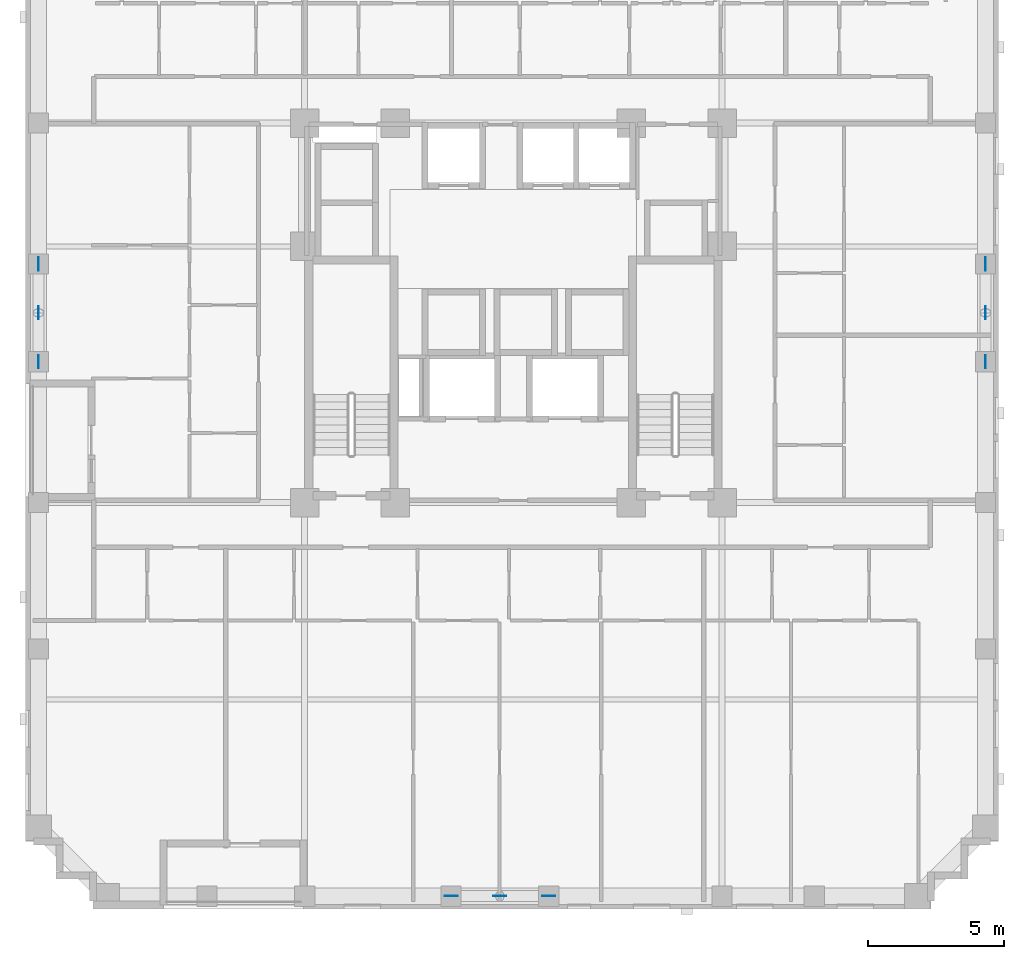
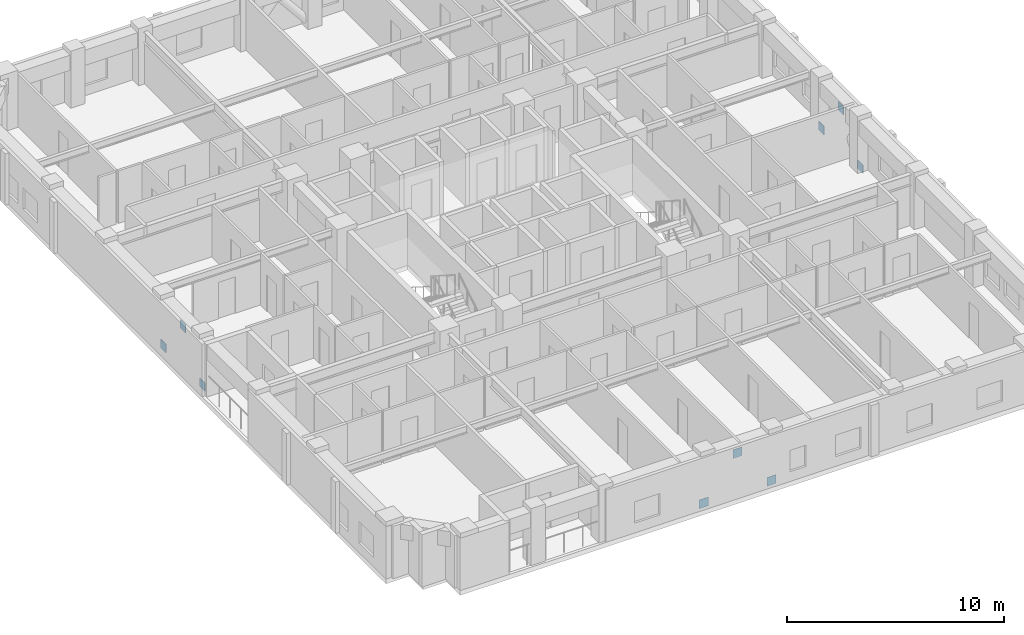
# One storey, part 9 of 12: 9 discrete accessories.
"""IFC4 building model written with IfcOpenShell, lengths in metres."""

from ifc_helpers import new_model, si_unit, derived_unit, direction, frame, origin, origin_2d, place, context, subcontext, project, spatial, rectangle, extrude, material, layer, layer_set, type_object, element, save


model = new_model("IFC4")

# Units and contexts
model_context = context("Model", 3, precision=1e-05, world=origin(), true_north=direction((0.0, 1.0)))
body_context = subcontext(model_context, "Body", "Model", "MODEL_VIEW")
ifc_project = project(units=[si_unit("LENGTHUNIT", "METRE"), si_unit("AREAUNIT", "SQUARE_METRE"), si_unit("VOLUMEUNIT", "CUBIC_METRE"), si_unit("PLANEANGLEUNIT", "RADIAN"), si_unit("MASSUNIT", "GRAM", prefix="KILO"), derived_unit("THERMALTRANSMITTANCEUNIT", [(si_unit("MASSUNIT", "GRAM", prefix="KILO"), 1), (si_unit("TIMEUNIT", "SECOND"), -3), (si_unit("THERMODYNAMICTEMPERATUREUNIT", "KELVIN"), -1)])], contexts=[model_context])

# Site, building, storey
site_placement = place(None, origin())
site = spatial("IfcSite", under=ifc_project, at=site_placement, CompositionType="ELEMENT")
building_placement = place(site_placement, origin())
building = spatial("IfcBuilding", under=site, at=building_placement, Name="Korrvale Station Residences", CompositionType="ELEMENT")
storey_placement = place(building_placement, frame((0.0, 0.0, 107.10009765625)))
storey = spatial("IfcBuildingStorey", under=building, at=storey_placement, Name="L30", CompositionType="ELEMENT", Elevation=107.10009765625)

# Discrete accessories
ifc_material = material(Name="Steel S355", Category="steel")
ifc_layer = layer(ifc_material, 0.02490234375, Name="Steel S355")
ifc_layer_set = layer_set([ifc_layer], Name="Steel S355")
discrete_accessory_type = type_object("IfcDiscreteAccessoryType", Name="ACC-GUSSET-25", PredefinedType="BRACKET", material=ifc_layer_set)
for number, where, z_axis, x_axis, name in (
    (1, (23.199951171875, 0.47998046875, -0.219970703125), (0.0, 0.0, 1.0), (1.0, 0.0, 0.0), "L30 S Brace End Gusset Connection A"),
    (2, (26.800048828125, 0.47998046875, -0.219970703125), (0.0, 0.0, 1.0), (1.0, 0.0, 0.0), "L30 S Brace End Gusset Connection B"),
    (3, (25.0, 0.47998046875, 1.969970703125), (0.0, 0.0, 1.0), (1.0, 0.0, 0.0), "L30 S Brace End Gusset Connection M"),
    (4, (7.97998046875, 20.199951171875, -0.219970703125), (0.0, 0.0, 1.0), (0.0, 1.0, 0.0), "L30 W Brace End Gusset Connection A"),
    (5, (7.97998046875, 23.800048828125, -0.219970703125), (0.0, 0.0, 1.0), (0.0, 1.0, 0.0), "L30 W Brace End Gusset Connection B"),
    (6, (7.97998046875, 22.0, 1.969970703125), (0.0, 0.0, 1.0), (0.0, 1.0, 0.0), "L30 W Brace End Gusset Connection M"),
    (7, (42.919921875, 20.199951171875, -0.219970703125), (0.0, 0.0, 1.0), (0.0, 1.0, 0.0), "L30 E Brace End Gusset Connection A"),
    (8, (42.919921875, 23.800048828125, -0.219970703125), (0.0, 0.0, 1.0), (0.0, 1.0, 0.0), "L30 E Brace End Gusset Connection B"),
    (9, (42.919921875, 22.0, 1.969970703125), (0.0, 0.0, 1.0), (0.0, 1.0, 0.0), "L30 E Brace End Gusset Connection M"),
):
    element("IfcDiscreteAccessory", number, at=place(storey_placement, frame(where, z_axis=z_axis, x_axis=x_axis)), inside=storey, type_object=discrete_accessory_type, Name=name, PredefinedType="BRACKET", context=body_context, shape_type="SweptSolid", body=[
        extrude(rectangle(XDim=0.47998046875, YDim=0.02490234375, at=origin_2d()), origin(), (0.0, 0.0, 1.0), 0.47998046875),
    ])

save(model, "model.ifc")
